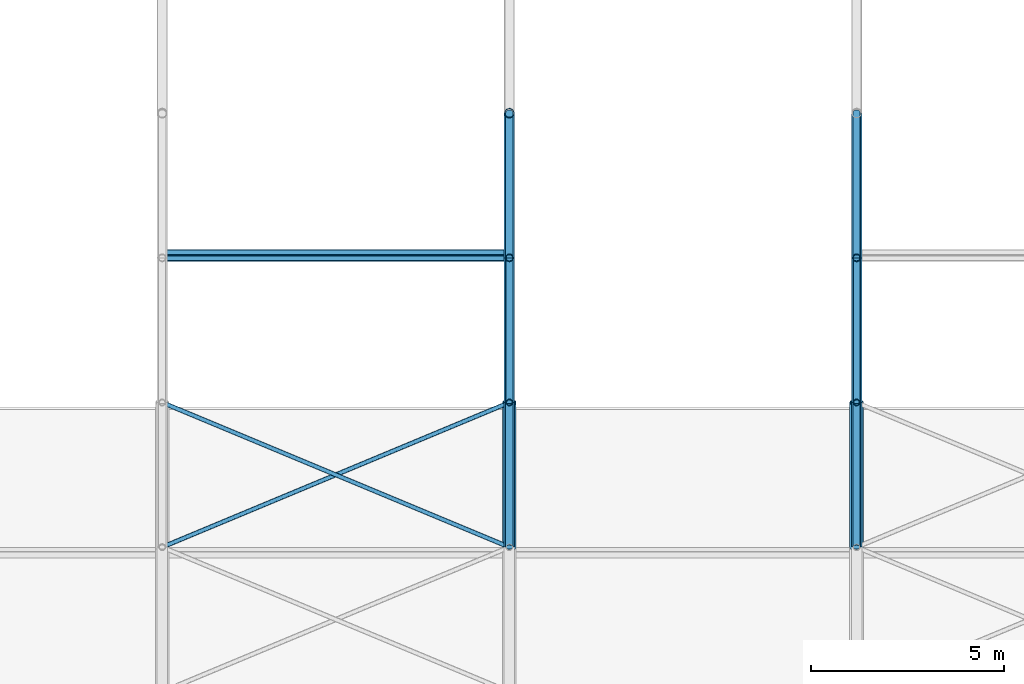
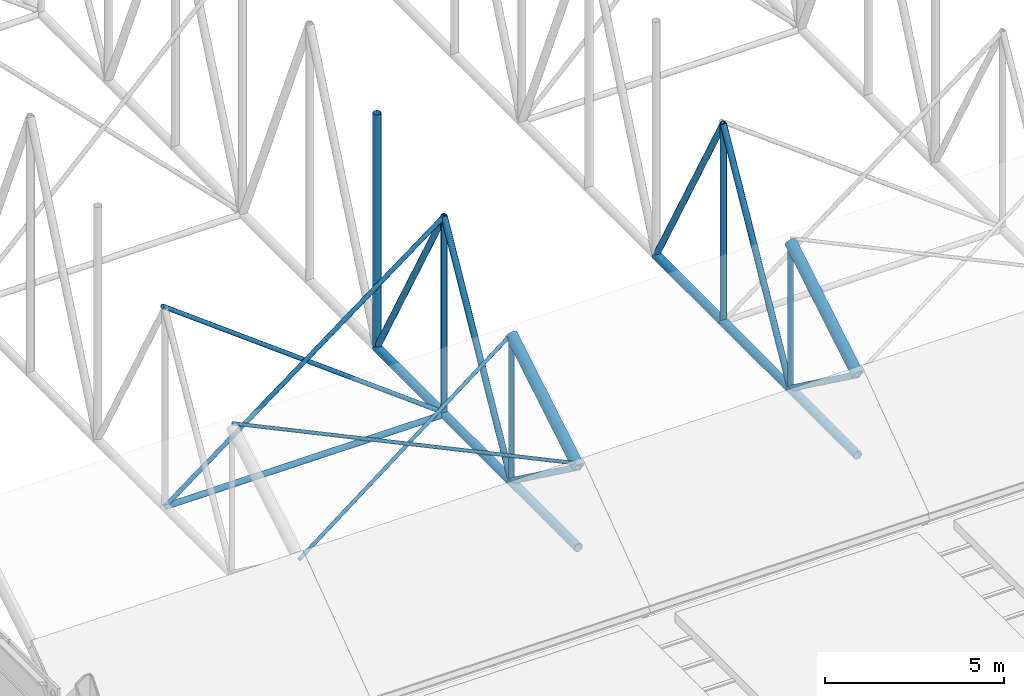
# One storey, part 29 of 153: 24 members.
"""IFC4 building model written with IfcOpenShell, lengths in metres."""

from ifc_helpers import new_model, si_unit, direction, frame, origin, origin_2d, place, context, subcontext, project, spatial, hollow_circle, extrude, material, material_profile, profile_set, type_object, element, save


model = new_model("IFC4")

# Units and contexts
model_context = context("Model", 3, precision=1e-05, world=origin(), true_north=direction((0.0, 1.0)))
body_context = subcontext(model_context, "Body", "Model", "MODEL_VIEW")
ifc_project = project(units=[si_unit("LENGTHUNIT", "METRE"), si_unit("AREAUNIT", "SQUARE_METRE"), si_unit("VOLUMEUNIT", "CUBIC_METRE"), si_unit("PLANEANGLEUNIT", "RADIAN"), si_unit("MASSUNIT", "GRAM", prefix="KILO")], contexts=[model_context])

# Site, building, storey
site_placement = place(None, origin())
site = spatial("IfcSite", under=ifc_project, at=site_placement, CompositionType="ELEMENT")
building_placement = place(site_placement, origin())
building = spatial("IfcBuilding", under=site, at=building_placement, Name="Baradari Gate Terminus", CompositionType="ELEMENT")
storey_placement = place(building_placement, frame((0.0, 0.0, 11.699951171875)))
storey = spatial("IfcBuildingStorey", under=building, at=storey_placement, Name="L02", CompositionType="ELEMENT", Elevation=11.699951171875)

# Members
ifc_material_1 = material(Name="Steel S355", Category="steel")
ifc_material_profile_1 = material_profile(ifc_material_1, hollow_circle(Radius=0.136474609375, WallThickness=0.012451171875, at=origin_2d()), Name="CHS 273x12.5")
ifc_profile_set_1 = profile_set([ifc_material_profile_1], Name="Steel S355")
member_type_1 = type_object("IfcMemberType", Name="Shed bottom chord CHS 273x12.5", PredefinedType="CHORD", material=ifc_profile_set_1)
for number, where, z_axis, x_axis, name in (
    (1, (108.0, 39.75, 0.136474609375), (0.0, 1.0, 0.0), (-1.0, 0.0, 0.0), "TR/L02/S108-BC01"),
    (2, (108.0, 43.5, 0.136474609375), (0.0, 1.0, 0.0), (-1.0, 0.0, 0.0), "TR/L02/S108-BC02"),
    (3, (108.0, 47.25, 0.136474609375), (0.0, 1.0, 0.0), (-1.0, 0.0, 0.0), "TR/L02/S108-BC03"),
    (4, (117.0, 39.75, 0.136474609375), (0.0, 1.0, 0.0), (-1.0, 0.0, 0.0), "TR/L02/S117-BC01"),
    (5, (117.0, 43.5, 0.136474609375), (0.0, 1.0, 0.0), (-1.0, 0.0, 0.0), "TR/L02/S117-BC02"),
    (6, (117.0, 47.25, 0.136474609375), (0.0, 1.0, 0.0), (-1.0, 0.0, 0.0), "TR/L02/S117-BC03"),
):
    element("IfcMember", number, at=place(storey_placement, frame(where, z_axis=z_axis, x_axis=x_axis)), inside=storey, type_object=member_type_1, Name=name, PredefinedType="CHORD", context=body_context, shape_type="SweptSolid", body=[
        extrude(hollow_circle(Radius=0.136474609375, WallThickness=0.012451171875, at=origin_2d()), origin(), (0.0, 0.0, 1.0), 3.75),
    ])
ifc_material_2 = material(Name="Steel S355", Category="steel")
ifc_material_profile_2 = material_profile(ifc_material_2, hollow_circle(Radius=0.096923828125, WallThickness=0.008056640625, at=origin_2d()), Name="CHS 193.7x8")
ifc_profile_set_2 = profile_set([ifc_material_profile_2], Name="Steel S355")
member_type_2 = type_object("IfcMemberType", Name="Shed bottom strut CHS 193.7x8", PredefinedType="STRUT", material=ifc_profile_set_2)
member_1_placement = place(storey_placement, frame((99.0, 47.25, 0.136474609375), z_axis=(1.0, 0.0, 0.0), x_axis=(0.0, 1.0, 0.0)))
element("IfcMember", 7, at=member_1_placement, inside=storey, type_object=member_type_2, Name="TR/L02/B108-ST03", PredefinedType="STRUT", context=body_context, shape_type="SweptSolid", body=[
    extrude(hollow_circle(Radius=0.096923828125, WallThickness=0.008056640625, at=origin_2d()), origin(), (0.0, 0.0, 1.0), 9.0),
])
ifc_material_3 = material(Name="Steel S355", Category="steel")
ifc_material_profile_3 = material_profile(ifc_material_3, hollow_circle(Radius=0.05712890625, WallThickness=0.00634765625, at=origin_2d()), Name="CHS 114.3x6.3")
ifc_profile_set_3 = profile_set([ifc_material_profile_3], Name="Steel S355")
member_type_3 = type_object("IfcMemberType", Name="Shed roof brace CHS 114.3x6.3", PredefinedType="BRACE", material=ifc_profile_set_3)
for number, where, z_axis, x_axis, name in (
    (8, (99.0, 39.75, 2.886474609375), (0.899438026795, 0.374765844498, 0.224859506699), (-0.384615384615, 0.923076923077, 0.0), "TR/L02/B108-RB01A"),
    (9, (108.0, 39.75, 3.000732421875), (-0.899438026795, 0.374765844498, 0.224859506699), (-0.384615384615, -0.923076923077, 0.0), "TR/L02/B108-RB01B"),
):
    element("IfcMember", number, at=place(storey_placement, frame(where, z_axis=z_axis, x_axis=x_axis)), inside=storey, type_object=member_type_3, Name=name, PredefinedType="BRACE", context=body_context, shape_type="SweptSolid", body=[
        extrude(hollow_circle(Radius=0.05712890625, WallThickness=0.00634765625, at=origin_2d()), origin(), (0.0, 0.0, 1.0), 10.00634765625),
    ])
ifc_material_4 = material(Name="Steel S355", Category="steel")
ifc_material_profile_4 = material_profile(ifc_material_4, hollow_circle(Radius=0.177734375, WallThickness=0.01611328125, at=origin_2d()), Name="CHS 355.6x16")
ifc_profile_set_4 = profile_set([ifc_material_profile_4], Name="Steel S355")
member_type_4 = type_object("IfcMemberType", Name="Shed top chord CHS 355.6x16", PredefinedType="CHORD", material=ifc_profile_set_4)
for number, where, z_axis, x_axis, name in (
    (10, (108.0, 39.75, 2.886474609375), (0.0, 0.857492925713, 0.514495755428), (-1.0, 0.0, 0.0), "TR/L02/S108-TC01"),
    (11, (117.0, 39.75, 2.886474609375), (0.0, 0.857492925713, 0.514495755428), (-1.0, 0.0, 0.0), "TR/L02/S117-TC01"),
):
    element("IfcMember", number, at=place(storey_placement, frame(where, z_axis=z_axis, x_axis=x_axis)), inside=storey, type_object=member_type_4, Name=name, PredefinedType="CHORD", context=body_context, shape_type="SweptSolid", body=[
        extrude(hollow_circle(Radius=0.177734375, WallThickness=0.01611328125, at=origin_2d()), origin(), (0.0, 0.0, 1.0), 4.373291015625),
    ])
ifc_material_5 = material(Name="Steel S355", Category="steel")
ifc_material_profile_5 = material_profile(ifc_material_5, hollow_circle(Radius=0.096923828125, WallThickness=0.008056640625, at=origin_2d()), Name="CHS 193.7x8")
ifc_profile_set_5 = profile_set([ifc_material_profile_5], Name="Steel S355")
member_type_5 = type_object("IfcMemberType", Name="Shed truss diagonal CHS 193.7x8", PredefinedType="BRACE", material=ifc_profile_set_5)
member_2_placement = place(storey_placement, frame((108.0, 39.75, 2.886474609375), z_axis=(0.0, 0.806404995856, -0.591363663628), x_axis=(-1.0, 0.0, 0.0)))
element("IfcMember", 12, at=member_2_placement, inside=storey, type_object=member_type_5, Name="TR/L02/S108-SD01", PredefinedType="BRACE", context=body_context, shape_type="SweptSolid", body=[
    extrude(hollow_circle(Radius=0.096923828125, WallThickness=0.008056640625, at=origin_2d()), origin(), (0.0, 0.0, 1.0), 4.650390625),
])
for number, where, z_axis, x_axis, name in (
    (13, (108.0, 47.25, 6.886474609375), (0.0, -0.485642931179, -0.874157276122), (1.0, 0.0, 0.0), "TR/L02/S108-SD02"),
    (14, (108.0, 47.25, 6.886474609375), (0.0, 0.485642931179, -0.874157276122), (-1.0, 0.0, 0.0), "TR/L02/S108-SD03"),
):
    element("IfcMember", number, at=place(storey_placement, frame(where, z_axis=z_axis, x_axis=x_axis)), inside=storey, type_object=member_type_5, Name=name, PredefinedType="BRACE", context=body_context, shape_type="SweptSolid", body=[
        extrude(hollow_circle(Radius=0.096923828125, WallThickness=0.008056640625, at=origin_2d()), origin(), (0.0, 0.0, 1.0), 7.7216796875),
    ])
member_3_placement = place(storey_placement, frame((117.0, 39.75, 2.886474609375), z_axis=(0.0, 0.806404995856, -0.591363663628), x_axis=(-1.0, 0.0, 0.0)))
element("IfcMember", 15, at=member_3_placement, inside=storey, type_object=member_type_5, Name="TR/L02/S117-SD01", PredefinedType="BRACE", context=body_context, shape_type="SweptSolid", body=[
    extrude(hollow_circle(Radius=0.096923828125, WallThickness=0.008056640625, at=origin_2d()), origin(), (0.0, 0.0, 1.0), 4.650390625),
])
for number, where, z_axis, x_axis, name in (
    (16, (117.0, 47.25, 6.886474609375), (0.0, -0.485642931179, -0.874157276122), (1.0, 0.0, 0.0), "TR/L02/S117-SD02"),
    (17, (117.0, 47.25, 6.886474609375), (0.0, 0.485642931179, -0.874157276122), (-1.0, 0.0, 0.0), "TR/L02/S117-SD03"),
):
    element("IfcMember", number, at=place(storey_placement, frame(where, z_axis=z_axis, x_axis=x_axis)), inside=storey, type_object=member_type_5, Name=name, PredefinedType="BRACE", context=body_context, shape_type="SweptSolid", body=[
        extrude(hollow_circle(Radius=0.096923828125, WallThickness=0.008056640625, at=origin_2d()), origin(), (0.0, 0.0, 1.0), 7.7216796875),
    ])
ifc_material_6 = material(Name="Steel S355", Category="steel")
ifc_material_profile_6 = material_profile(ifc_material_6, hollow_circle(Radius=0.084228515625, WallThickness=0.008056640625, at=origin_2d()), Name="CHS 168.3x8")
ifc_profile_set_6 = profile_set([ifc_material_profile_6], Name="Steel S355")
member_type_6 = type_object("IfcMemberType", Name="Shed truss post CHS 168.3x8", PredefinedType="POST", material=ifc_profile_set_6)
for number, where, z_axis, x_axis, name in (
    (18, (108.0, 43.5, 0.136474609375), (0.0, 0.0, 1.0), (1.0, 0.0, 0.0), "TR/L02/S108-SP02"),
    (19, (117.0, 43.5, 0.136474609375), (0.0, 0.0, 1.0), (1.0, 0.0, 0.0), "TR/L02/S117-SP02"),
):
    element("IfcMember", number, at=place(storey_placement, frame(where, z_axis=z_axis, x_axis=x_axis)), inside=storey, type_object=member_type_6, Name=name, PredefinedType="POST", context=body_context, shape_type="SweptSolid", body=[
        extrude(hollow_circle(Radius=0.084228515625, WallThickness=0.008056640625, at=origin_2d()), origin(), (0.0, 0.0, 1.0), 5.0),
    ])
ifc_material_7 = material(Name="Steel S355", Category="steel")
ifc_material_profile_7 = material_profile(ifc_material_7, hollow_circle(Radius=0.096923828125, WallThickness=0.008056640625, at=origin_2d()), Name="CHS 193.7x8")
ifc_profile_set_7 = profile_set([ifc_material_profile_7], Name="Steel S355")
member_type_7 = type_object("IfcMemberType", Name="Shed truss post CHS 193.7x8", PredefinedType="POST", material=ifc_profile_set_7)
for number, where, z_axis, x_axis, name in (
    (20, (108.0, 47.25, 0.136474609375), (0.0, 0.0, 1.0), (1.0, 0.0, 0.0), "TR/L02/S108-SP03"),
    (21, (117.0, 47.25, 0.136474609375), (0.0, 0.0, 1.0), (1.0, 0.0, 0.0), "TR/L02/S117-SP03"),
):
    element("IfcMember", number, at=place(storey_placement, frame(where, z_axis=z_axis, x_axis=x_axis)), inside=storey, type_object=member_type_7, Name=name, PredefinedType="POST", context=body_context, shape_type="SweptSolid", body=[
        extrude(hollow_circle(Radius=0.096923828125, WallThickness=0.008056640625, at=origin_2d()), origin(), (0.0, 0.0, 1.0), 6.75),
    ])
ifc_material_8 = material(Name="Steel S355", Category="steel")
ifc_material_profile_8 = material_profile(ifc_material_8, hollow_circle(Radius=0.122314453125, WallThickness=0.010009765625, at=origin_2d()), Name="CHS 244.5x10")
ifc_profile_set_8 = profile_set([ifc_material_profile_8], Name="Steel S355")
member_type_8 = type_object("IfcMemberType", Name="Shed truss post CHS 244.5x10", PredefinedType="POST", material=ifc_profile_set_8)
member_4_placement = place(storey_placement, frame((108.0, 51.0, 0.136474609375), z_axis=(0.0, 0.0, 1.0), x_axis=(1.0, 0.0, 0.0)))
element("IfcMember", 22, at=member_4_placement, inside=storey, type_object=member_type_8, Name="TR/L02/S108-SP04", PredefinedType="POST", context=body_context, shape_type="SweptSolid", body=[
    extrude(hollow_circle(Radius=0.122314453125, WallThickness=0.010009765625, at=origin_2d()), origin(), (0.0, 0.0, 1.0), 8.0),
])
ifc_material_9 = material(Name="Steel S355", Category="steel")
ifc_material_profile_9 = material_profile(ifc_material_9, hollow_circle(Radius=0.06982421875, WallThickness=0.008056640625, at=origin_2d()), Name="CHS 139.7x8")
ifc_profile_set_9 = profile_set([ifc_material_profile_9], Name="Steel S355")
member_type_9 = type_object("IfcMemberType", Name="Shed vertical brace CHS 139.7x8", PredefinedType="BRACE", material=ifc_profile_set_9)
for number, where, z_axis, x_axis, name in (
    (23, (99.0, 47.25, 0.136474609375), (0.8, 0.0, 0.6), (0.0, 1.0, 0.0), "TR/L02/B108-VB03A"),
    (24, (99.0, 47.3896484375, 6.886474609375), (0.8, 0.0, -0.6), (0.0, 1.0, 0.0), "TR/L02/B108-VB03B"),
):
    element("IfcMember", number, at=place(storey_placement, frame(where, z_axis=z_axis, x_axis=x_axis)), inside=storey, type_object=member_type_9, Name=name, PredefinedType="BRACE", context=body_context, shape_type="SweptSolid", body=[
        extrude(hollow_circle(Radius=0.06982421875, WallThickness=0.008056640625, at=origin_2d()), origin(), (0.0, 0.0, 1.0), 11.25),
    ])

save(model, "model.ifc")
